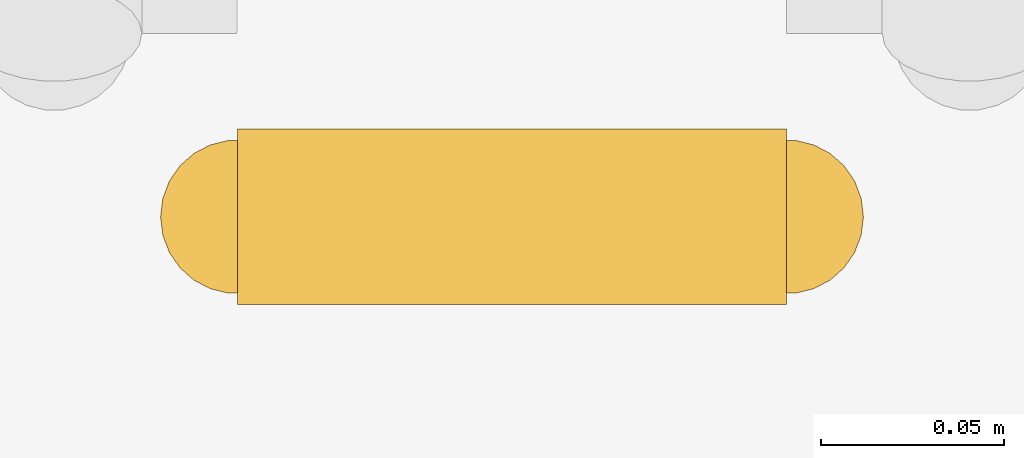
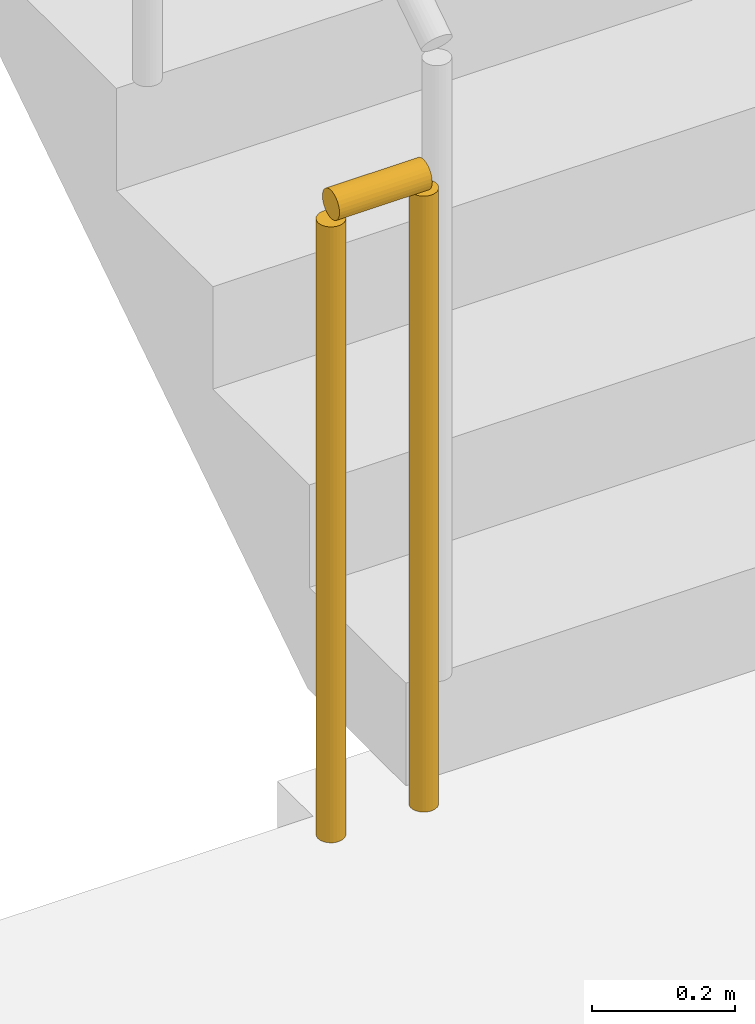
# One storey, part 15 of 20: 1 railing.
"""IFC4 building model written with IfcOpenShell, lengths in metres."""

from ifc_helpers import new_model, si_unit, direction, frame, origin, origin_2d, place, context, subcontext, project, spatial, circle, extrude, material, type_object, element, save


model = new_model("IFC4")

# Units and contexts
model_context = context("Model", 3, precision=1e-05, world=origin(), true_north=direction((0.0, 1.0)))
body_context = subcontext(model_context, "Body", "Model", "MODEL_VIEW")
ifc_project = project(units=[si_unit("LENGTHUNIT", "METRE"), si_unit("AREAUNIT", "SQUARE_METRE"), si_unit("VOLUMEUNIT", "CUBIC_METRE"), si_unit("PLANEANGLEUNIT", "RADIAN"), si_unit("MASSUNIT", "GRAM", prefix="KILO")], contexts=[model_context])

# Site, building, storey
site_placement = place(None, origin())
site = spatial("IfcSite", under=ifc_project, at=site_placement, CompositionType="ELEMENT")
building_placement = place(site_placement, origin())
building = spatial("IfcBuilding", under=site, at=building_placement, Name="Saffron Iwan Residences", CompositionType="ELEMENT")
storey_placement = place(building_placement, frame((0.0, 0.0, 157.0)))
storey = spatial("IfcBuildingStorey", under=building, at=storey_placement, Name="L41", CompositionType="ELEMENT", Elevation=157.0)

# Railing
ifc_material = material(Name="Steel S355", Category="steel")
railing_type = type_object("IfcRailingType", Name="Stair guard 1100", PredefinedType="GUARDRAIL", material=ifc_material)
railing_placement = place(storey_placement, frame((31.25, 67.800048828125, 0.0)))
element("IfcRailing", 1, at=railing_placement, inside=storey, type_object=railing_type, Name="L41 ST-W stair guard 2", PredefinedType="GUARDRAIL", context=body_context, shape_type="SweptSolid", body=[
    extrude(circle(Radius=0.02392578125, at=origin_2d()), frame((0.0, 0.0, 1.076171875), z_axis=(-1.0, 0.0, 0.0), x_axis=(0.0, -1.0, 0.0)), (0.0, 0.0, 1.0), 0.14990234375),
    extrude(circle(Radius=0.02099609375, at=origin_2d()), origin(), (0.0, 0.0, 1.0), 1.052001953125),
    extrude(circle(Radius=0.02099609375, at=origin_2d()), frame((-0.14990234375, 0.0, 0.0)), (0.0, 0.0, 1.0), 1.052001953125),
])

save(model, "model.ifc")
